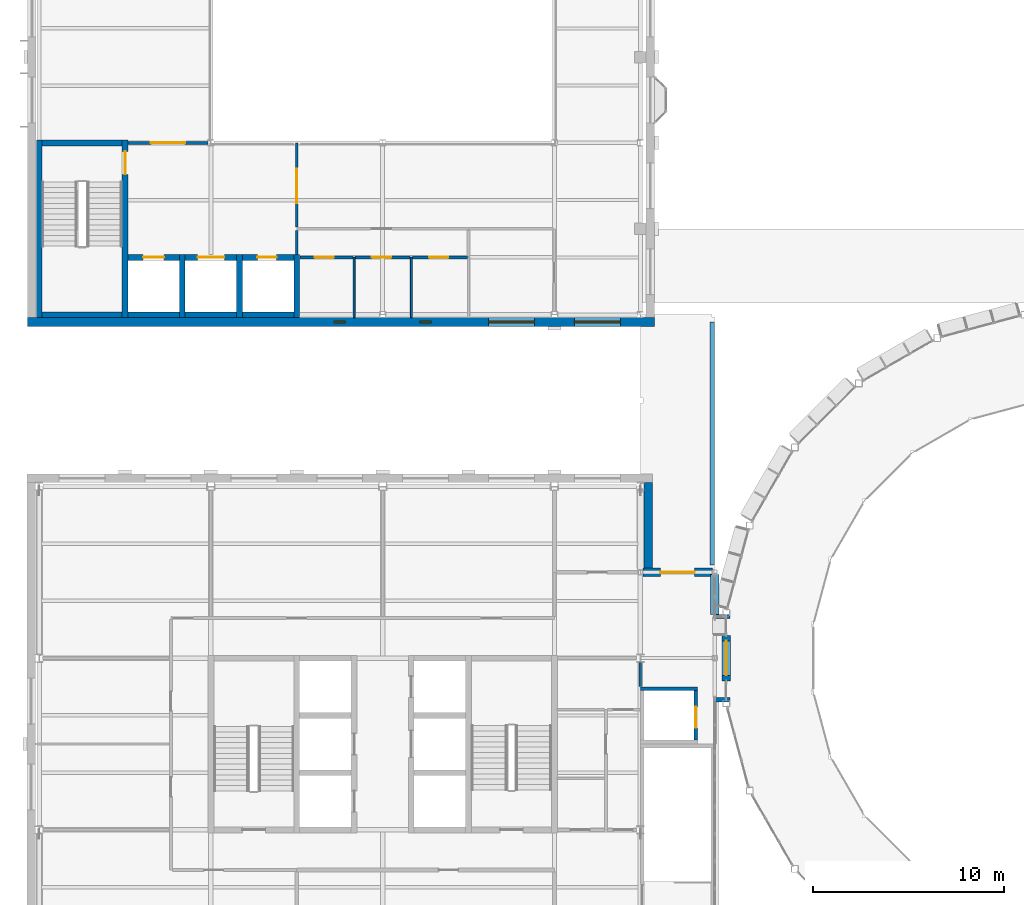
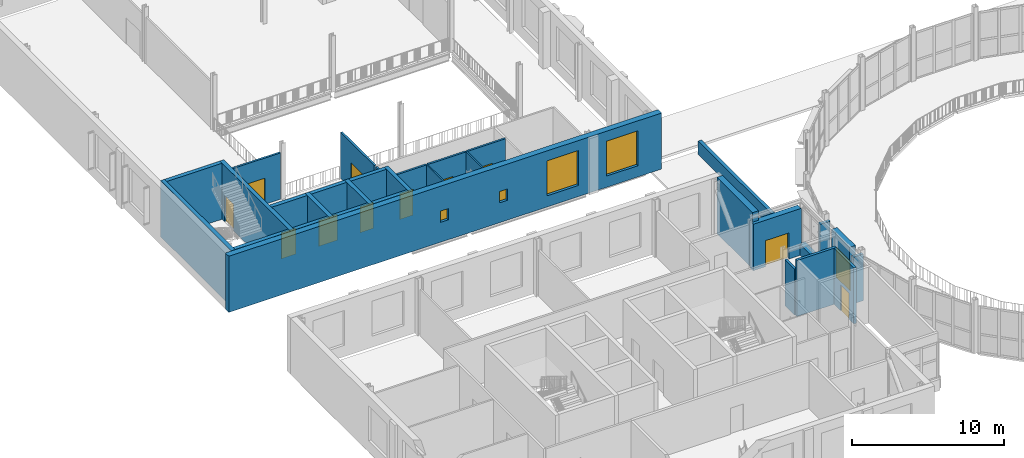
# One storey, part 42 of 74: 32 walls, 12 doors, 4 windows, 16 openings.
"""IFC4 building model written with IfcOpenShell, lengths in metres."""

from ifc_helpers import new_model, si_unit, direction, frame, frame_2d, origin, place, context, subcontext, project, spatial, rectangle, extrude, material, layer, layer_set, type_object, element, fill, save


model = new_model("IFC4")

# Units and contexts
model_context = context("Model", 3, precision=1e-05, world=origin(), true_north=direction((0.0, 1.0)))
body_context = subcontext(model_context, "Body", "Model", "MODEL_VIEW")
ifc_project = project(units=[si_unit("LENGTHUNIT", "METRE"), si_unit("AREAUNIT", "SQUARE_METRE"), si_unit("VOLUMEUNIT", "CUBIC_METRE"), si_unit("PLANEANGLEUNIT", "RADIAN"), si_unit("MASSUNIT", "GRAM", prefix="KILO")], contexts=[model_context])

# Site, building, storey
site_placement = place(None, origin())
site = spatial("IfcSite", under=ifc_project, at=site_placement, CompositionType="ELEMENT")
building_placement = place(site_placement, origin())
building = spatial("IfcBuilding", under=site, at=building_placement, Name="Hortulan Conservatory and Botanical Research Centre", CompositionType="ELEMENT")
storey_placement = place(building_placement, frame((0.0, 0.0, 6.0)))
storey = spatial("IfcBuildingStorey", under=building, at=storey_placement, Name="L01", CompositionType="ELEMENT", Elevation=6.0)

# Wall
ifc_material_1 = material(Name="Concrete N40 (40 MPa, AS 3600)", Category="concrete")
ifc_layer_1 = layer(ifc_material_1, 0.300048828125)
ifc_layer_set_1 = layer_set([ifc_layer_1], Name="Core Wall 300 N40 FRL 180/120/120")
wall_type_1 = type_object("IfcWallType", Name="Core Wall 300 N40 FRL 180/120/120", PredefinedType="SHEAR", material=ifc_layer_set_1)
wall_1_placement = place(storey_placement, frame((0.0, 35.85009765625, 0.0), z_axis=(0.0, 0.0, 1.0), x_axis=(0.0, 1.0, 0.0)))
element("IfcWall", 1, at=wall_1_placement, inside=storey, type_object=wall_type_1, Name="Reinforced concrete shaft wall", PredefinedType="SHEAR", context=body_context, shape_type="SweptSolid", body=[
    extrude(rectangle(XDim=9.2998046875, YDim=0.300048828125, at=frame_2d((4.64990234375, 0.0))), origin(), (0.0, 0.0, 1.0), 4.5),
])

# Wall, opening, door
wall_2_placement = place(storey_placement, frame((4.5, 35.85009765625, 0.0), z_axis=(0.0, 0.0, 1.0), x_axis=(0.0, 1.0, 0.0)))
wall_2 = element("IfcWall", 2, at=wall_2_placement, inside=storey, type_object=wall_type_1, Name="Reinforced concrete shaft wall", PredefinedType="SHEAR", context=body_context, shape_type="SweptSolid", body=[
    extrude(rectangle(XDim=9.2998046875, YDim=0.300048828125, at=frame_2d((4.64990234375, 0.0))), origin(), (0.0, 0.0, 1.0), 4.5),
])
opening_1_placement = place(wall_2_placement, frame((7.5, 0.0, 0.0)))
opening_1 = element("IfcOpeningElement", 3, at=opening_1_placement, cuts=wall_2, Name="Opening DT5", PredefinedType="OPENING", context=body_context, shape_type="SweptSolid", body=[
    extrude(rectangle(XDim=1.199951171875, YDim=2.10009765625, at=frame_2d((0.60009765625, 1.050048828125))), frame((0.0, 0.159912109375, 0.0), z_axis=(0.0, -1.0, 0.0), x_axis=(1.0, 0.0, 0.0)), (0.0, 0.0, 1.0), 0.320068359375),
])
ifc_material_2 = material(Name="Steel door leaf, insulated", Category="steel")
door_type_1 = type_object("IfcDoorType", Name="Stair Door 1200x2100 FRL -/120/30", OperationType="NOTDEFINED", PredefinedType="DOOR", material=ifc_material_2)
door_1_placement = place(opening_1_placement, origin())
door_1 = element("IfcDoor", 4, at=door_1_placement, inside=storey, type_object=door_type_1, Name="Door DT5 Exit Stair V1 to Lift Lobby", OperationType="SINGLE_SWING_LEFT", OverallHeight=2.10009765625, OverallWidth=1.199951171875, PredefinedType="DOOR", context=body_context, shape_type="SweptSolid", body=[
    extrude(rectangle(XDim=1.199951171875, YDim=2.10009765625, at=frame_2d((0.60009765625, 1.050048828125))), frame((0.0, 0.02490234375, 0.0), z_axis=(0.0, -1.0, 0.0), x_axis=(1.0, 0.0, 0.0)), (0.0, 0.0, 1.0), 0.050048828125),
])
fill(opening_1, door_1)

# Walls
for number, where, z_axis, x_axis, name in (
    (5, (7.5, 35.85009765625, 0.0), (0.0, 0.0, 1.0), (0.0, 1.0, 0.0), "Reinforced concrete shaft wall"),
    (6, (10.5, 35.85009765625, 0.0), (0.0, 0.0, 1.0), (0.0, 1.0, 0.0), "Reinforced concrete shaft wall"),
    (7, (13.5, 35.85009765625, 0.0), (0.0, 0.0, 1.0), (0.0, 1.0, 0.0), "Reinforced concrete shaft wall"),
):
    element("IfcWall", number, at=place(storey_placement, frame(where, z_axis=z_axis, x_axis=x_axis)), inside=storey, type_object=wall_type_1, Name=name, PredefinedType="SHEAR", context=body_context, shape_type="SweptSolid", body=[
        extrude(rectangle(XDim=3.2998046875, YDim=0.300048828125, at=frame_2d((1.64990234375, 0.0))), origin(), (0.0, 0.0, 1.0), 4.5),
    ])
wall_3_placement = place(storey_placement, frame((0.14990234375, 36.0, 0.0), z_axis=(0.0, 0.0, 1.0), x_axis=(1.0, 0.0, 0.0)))
element("IfcWall", 8, at=wall_3_placement, inside=storey, type_object=wall_type_1, Name="Reinforced concrete shaft wall", PredefinedType="SHEAR", context=body_context, shape_type="SweptSolid", body=[
    extrude(rectangle(XDim=4.2001953125, YDim=0.300048828125, at=frame_2d((2.10009765625, 0.0))), origin(), (0.0, 0.0, 1.0), 4.5),
])
for number, where, z_axis, x_axis, name in (
    (9, (4.64990234375, 36.0, 0.0), (0.0, 0.0, 1.0), (1.0, 0.0, 0.0), "Reinforced concrete shaft wall"),
    (10, (7.64990234375, 36.0, 0.0), (0.0, 0.0, 1.0), (1.0, 0.0, 0.0), "Reinforced concrete shaft wall"),
    (11, (10.64990234375, 36.0, 0.0), (0.0, 0.0, 1.0), (1.0, 0.0, 0.0), "Reinforced concrete shaft wall"),
):
    element("IfcWall", number, at=place(storey_placement, frame(where, z_axis=z_axis, x_axis=x_axis)), inside=storey, type_object=wall_type_1, Name=name, PredefinedType="SHEAR", context=body_context, shape_type="SweptSolid", body=[
        extrude(rectangle(XDim=2.7001953125, YDim=0.300048828125, at=frame_2d((1.35009765625, 0.0))), origin(), (0.0, 0.0, 1.0), 4.5),
    ])

# Wall, opening, door
wall_4_placement = place(storey_placement, frame((4.64990234375, 39.0, 0.0), z_axis=(0.0, 0.0, 1.0), x_axis=(1.0, 0.0, 0.0)))
wall_4 = element("IfcWall", 12, at=wall_4_placement, inside=storey, type_object=wall_type_1, Name="Reinforced concrete shaft wall", PredefinedType="SHEAR", context=body_context, shape_type="SweptSolid", body=[
    extrude(rectangle(XDim=2.7001953125, YDim=0.300048828125, at=frame_2d((1.35009765625, 0.0))), origin(), (0.0, 0.0, 1.0), 4.5),
])
opening_2_placement = place(wall_4_placement, frame((0.800048828125, 0.0, 0.0)))
opening_2 = element("IfcOpeningElement", 13, at=opening_2_placement, cuts=wall_4, Name="Opening LD1", PredefinedType="OPENING", context=body_context, shape_type="SweptSolid", body=[
    extrude(rectangle(XDim=1.10009765625, YDim=2.10009765625, at=frame_2d((0.550048828125, 1.050048828125))), frame((0.0, 0.159912109375, 0.0), z_axis=(0.0, -1.0, 0.0), x_axis=(1.0, 0.0, 0.0)), (0.0, 0.0, 1.0), 0.320068359375),
])
ifc_material_3 = material(Name="Stainless steel door leaves in steel frame", Category="steel")
door_type_2 = type_object("IfcDoorType", Name="Lift Landing Door 1100x2100", OperationType="DOUBLE_DOOR_SLIDING", PredefinedType="DOOR", material=ifc_material_3)
door_2_placement = place(opening_2_placement, origin())
door_2 = element("IfcDoor", 14, at=door_2_placement, inside=storey, type_object=door_type_2, Name="Lift LV1 landing door L01", OperationType="DOUBLE_DOOR_SLIDING", OverallHeight=2.10009765625, OverallWidth=1.10009765625, PredefinedType="DOOR", context=body_context, shape_type="SweptSolid", body=[
    extrude(rectangle(XDim=1.10009765625, YDim=2.10009765625, at=frame_2d((0.550048828125, 1.050048828125))), frame((0.0, 0.02490234375, 0.0), z_axis=(0.0, -1.0, 0.0), x_axis=(1.0, 0.0, 0.0)), (0.0, 0.0, 1.0), 0.050048828125),
])
fill(opening_2, door_2)

wall_5_placement = place(storey_placement, frame((7.64990234375, 39.0, 0.0), z_axis=(0.0, 0.0, 1.0), x_axis=(1.0, 0.0, 0.0)))
wall_5 = element("IfcWall", 15, at=wall_5_placement, inside=storey, type_object=wall_type_1, Name="Reinforced concrete shaft wall", PredefinedType="SHEAR", context=body_context, shape_type="SweptSolid", body=[
    extrude(rectangle(XDim=2.7001953125, YDim=0.300048828125, at=frame_2d((1.35009765625, 0.0))), origin(), (0.0, 0.0, 1.0), 4.5),
])
opening_3_placement = place(wall_5_placement, frame((0.64990234375, 0.0, 0.0)))
opening_3 = element("IfcOpeningElement", 16, at=opening_3_placement, cuts=wall_5, Name="Opening LD2", PredefinedType="OPENING", context=body_context, shape_type="SweptSolid", body=[
    extrude(rectangle(XDim=1.39990234375, YDim=2.10009765625, at=frame_2d((0.699951171875, 1.050048828125))), frame((0.0, 0.159912109375, 0.0), z_axis=(0.0, -1.0, 0.0), x_axis=(1.0, 0.0, 0.0)), (0.0, 0.0, 1.0), 0.320068359375),
])
door_type_3 = type_object("IfcDoorType", Name="Lift Landing Door 1400x2100", OperationType="DOUBLE_DOOR_SLIDING", PredefinedType="DOOR", material=ifc_material_3)
door_3_placement = place(opening_3_placement, origin())
door_3 = element("IfcDoor", 17, at=door_3_placement, inside=storey, type_object=door_type_3, Name="Lift LV2 landing door L01", OperationType="DOUBLE_DOOR_SLIDING", OverallHeight=2.10009765625, OverallWidth=1.39990234375, PredefinedType="DOOR", context=body_context, shape_type="SweptSolid", body=[
    extrude(rectangle(XDim=1.39990234375, YDim=2.10009765625, at=frame_2d((0.699951171875, 1.050048828125))), frame((0.0, 0.02490234375, 0.0), z_axis=(0.0, -1.0, 0.0), x_axis=(1.0, 0.0, 0.0)), (0.0, 0.0, 1.0), 0.050048828125),
])
fill(opening_3, door_3)

wall_6_placement = place(storey_placement, frame((10.64990234375, 39.0, 0.0), z_axis=(0.0, 0.0, 1.0), x_axis=(1.0, 0.0, 0.0)))
wall_6 = element("IfcWall", 18, at=wall_6_placement, inside=storey, type_object=wall_type_1, Name="Reinforced concrete shaft wall", PredefinedType="SHEAR", context=body_context, shape_type="SweptSolid", body=[
    extrude(rectangle(XDim=2.7001953125, YDim=0.300048828125, at=frame_2d((1.35009765625, 0.0))), origin(), (0.0, 0.0, 1.0), 4.5),
])
opening_4_placement = place(wall_6_placement, frame((0.788818359375, 0.0, 0.0)))
opening_4 = element("IfcOpeningElement", 19, at=opening_4_placement, cuts=wall_6, Name="Opening DT6", PredefinedType="OPENING", context=body_context, shape_type="SweptSolid", body=[
    extrude(rectangle(XDim=1.0, YDim=2.10009765625, at=frame_2d((0.5, 1.050048828125))), frame((0.0, 0.159912109375, 0.0), z_axis=(0.0, -1.0, 0.0), x_axis=(1.0, 0.0, 0.0)), (0.0, 0.0, 1.0), 0.320068359375),
])
door_type_4 = type_object("IfcDoorType", Name="Fire Door 1000x2100 FRL -/120/30", OperationType="NOTDEFINED", PredefinedType="DOOR", material=ifc_material_2)
door_4_placement = place(opening_4_placement, frame((1.0, 0.0, 0.0), z_axis=(0.0, 0.0, 1.0), x_axis=(-1.0, 0.0, 0.0)))
door_4 = element("IfcDoor", 20, at=door_4_placement, inside=storey, type_object=door_type_4, Name="Door DT6 Services Riser to Lift Lobby", OperationType="SINGLE_SWING_RIGHT", OverallHeight=2.10009765625, OverallWidth=1.0, PredefinedType="DOOR", context=body_context, shape_type="SweptSolid", body=[
    extrude(rectangle(XDim=1.0, YDim=2.10009765625, at=frame_2d((0.5, 1.050048828125))), frame((0.0, 0.02490234375, 0.0), z_axis=(0.0, -1.0, 0.0), x_axis=(1.0, 0.0, 0.0)), (0.0, 0.0, 1.0), 0.050048828125),
])
fill(opening_4, door_4)

# Walls
wall_7_placement = place(storey_placement, frame((0.14990234375, 45.0, 0.0), z_axis=(0.0, 0.0, 1.0), x_axis=(1.0, 0.0, 0.0)))
element("IfcWall", 21, at=wall_7_placement, inside=storey, type_object=wall_type_1, Name="Reinforced concrete shaft wall", PredefinedType="SHEAR", context=body_context, shape_type="SweptSolid", body=[
    extrude(rectangle(XDim=4.2001953125, YDim=0.300048828125, at=frame_2d((2.10009765625, 0.0))), origin(), (0.0, 0.0, 1.0), 4.5),
])
ifc_layer_2 = layer(ifc_material_1, 0.199951171875)
ifc_layer_set_2 = layer_set([ifc_layer_2], Name="Head Link Shaft Wall 200")
wall_type_2 = type_object("IfcWallType", Name="Head Link Shaft Wall 200", PredefinedType="SHEAR", material=ifc_layer_set_2)
wall_8_placement = place(storey_placement, frame((31.5, 16.39990234375, 0.0), z_axis=(0.0, 0.0, 1.0), x_axis=(1.0, 0.0, 0.0)))
element("IfcWall", 22, at=wall_8_placement, inside=storey, type_object=wall_type_2, Name="HW lift shaft north wall L01", PredefinedType="SHEAR", context=body_context, shape_type="SweptSolid", body=[
    extrude(rectangle(XDim=3.0, YDim=0.199951171875, at=frame_2d((1.5, 0.0))), origin(), (0.0, 0.0, 1.0), 4.5),
])

# Wall, opening, door
wall_9_placement = place(storey_placement, frame((34.39990234375, 13.699951171875, 0.0), z_axis=(0.0, 0.0, 1.0), x_axis=(0.0, 1.0, 0.0)))
wall_9 = element("IfcWall", 23, at=wall_9_placement, inside=storey, type_object=wall_type_2, Name="HW lift shaft east wall L01", PredefinedType="SHEAR", context=body_context, shape_type="SweptSolid", body=[
    extrude(rectangle(XDim=2.60009765625, YDim=0.199951171875, at=frame_2d((1.300048828125, 0.0))), origin(), (0.0, 0.0, 1.0), 4.5),
])
opening_5_placement = place(wall_9_placement, frame((0.64990234375, 0.0, 0.0)))
opening_5 = element("IfcOpeningElement", 24, at=opening_5_placement, cuts=wall_9, Name="Opening LD1", PredefinedType="OPENING", context=body_context, shape_type="SweptSolid", body=[
    extrude(rectangle(XDim=1.10009765625, YDim=2.10009765625, at=frame_2d((0.550048828125, 1.050048828125))), frame((0.0, 0.10986328125, 0.0), z_axis=(0.0, -1.0, 0.0), x_axis=(1.0, 0.0, 0.0)), (0.0, 0.0, 1.0), 0.219970703125),
])
door_5_placement = place(opening_5_placement, origin())
door_5 = element("IfcDoor", 25, at=door_5_placement, inside=storey, type_object=door_type_2, Name="Lift LHW landing door L01", OperationType="DOUBLE_DOOR_SLIDING", OverallHeight=2.10009765625, OverallWidth=1.10009765625, PredefinedType="DOOR", context=body_context, shape_type="SweptSolid", body=[
    extrude(rectangle(XDim=1.10009765625, YDim=2.10009765625, at=frame_2d((0.550048828125, 1.050048828125))), frame((0.0, 0.02490234375, 0.0), z_axis=(0.0, -1.0, 0.0), x_axis=(1.0, 0.0, 0.0)), (0.0, 0.0, 1.0), 0.050048828125),
])
fill(opening_5, door_5)

# Wall
ifc_material_4 = material(Name="Fire-rated plasterboard on steel studs", Category="steel")
ifc_layer_3 = layer(ifc_material_4, 0.14990234375)
ifc_layer_set_3 = layer_set([ifc_layer_3], Name="Lobby Partition 150")
wall_type_3 = type_object("IfcWallType", Name="Lobby Partition 150", PredefinedType="PARTITIONING", material=ifc_layer_set_3)
wall_10_placement = place(storey_placement, frame((13.5, 39.159912109375, 0.0), z_axis=(0.0, 0.0, 1.0), x_axis=(0.0, 1.0, 0.0)))
element("IfcWall", 26, at=wall_10_placement, inside=storey, type_object=wall_type_3, Name="Partition Lift Lobby and WC Lobby L01", PredefinedType="PARTITIONING", context=body_context, shape_type="SweptSolid", body=[
    extrude(rectangle(XDim=1.255126953125, YDim=0.14990234375, at=frame_2d((0.62744140625, 0.0))), origin(), (0.0, 0.0, 1.0), 3.718017578125),
])

# Wall, opening, door
wall_11_placement = place(storey_placement, frame((13.5, 40.5849609375, 0.0), z_axis=(0.0, 0.0, 1.0), x_axis=(0.0, 1.0, 0.0)))
wall_11 = element("IfcWall", 27, at=wall_11_placement, inside=storey, type_object=wall_type_3, Name="Partition Lift Lobby and Gallery Walk L01", PredefinedType="PARTITIONING", context=body_context, shape_type="SweptSolid", body=[
    extrude(rectangle(XDim=4.4150390625, YDim=0.14990234375, at=frame_2d((2.20751953125, 0.0))), origin(), (0.0, 0.0, 1.0), 3.718017578125),
])
opening_6_placement = place(wall_11_placement, frame((1.264892578125, 0.0, 0.0)))
opening_6 = element("IfcOpeningElement", 28, at=opening_6_placement, cuts=wall_11, Name="Opening DT8", PredefinedType="OPENING", context=body_context, shape_type="SweptSolid", body=[
    extrude(rectangle(XDim=1.800048828125, YDim=2.10009765625, at=frame_2d((0.89990234375, 1.050048828125))), frame((0.0, 0.0849609375, 0.0), z_axis=(0.0, -1.0, 0.0), x_axis=(1.0, 0.0, 0.0)), (0.0, 0.0, 1.0), 0.169921875),
])
door_type_5 = type_object("IfcDoorType", Name="Lobby Double Door 1800x2100 FRL -/60/30", OperationType="DOUBLE_DOOR_SINGLE_SWING", PredefinedType="DOOR", material=ifc_material_2)
door_6_placement = place(opening_6_placement, frame((1.800048828125, 0.0, 0.0), z_axis=(0.0, 0.0, 1.0), x_axis=(-1.0, 0.0, 0.0)))
door_6 = element("IfcDoor", 29, at=door_6_placement, inside=storey, type_object=door_type_5, Name="Door DT8 Lift Lobby to Gallery Walk", OperationType="DOUBLE_DOOR_SINGLE_SWING", OverallHeight=2.10009765625, OverallWidth=1.800048828125, PredefinedType="DOOR", context=body_context, shape_type="SweptSolid", body=[
    extrude(rectangle(XDim=1.800048828125, YDim=2.10009765625, at=frame_2d((0.89990234375, 1.050048828125))), frame((0.0, 0.02490234375, 0.0), z_axis=(0.0, -1.0, 0.0), x_axis=(1.0, 0.0, 0.0)), (0.0, 0.0, 1.0), 0.050048828125),
])
fill(opening_6, door_6)

# Wall
wall_12_placement = place(storey_placement, frame((31.5, 16.510009765625, 0.0), z_axis=(0.0, 0.0, 1.0), x_axis=(0.0, 1.0, 0.0)))
element("IfcWall", 30, at=wall_12_placement, inside=storey, type_object=wall_type_3, Name="Partition Men's WC and West Head Link Lobby L01", PredefinedType="PARTITIONING", context=body_context, shape_type="SweptSolid", body=[
    extrude(rectangle(XDim=1.26904296875, YDim=0.14990234375, at=frame_2d((0.634521484375, 0.0))), origin(), (0.0, 0.0, 1.0), 3.718017578125),
])

# Wall, opening, door
wall_13_placement = place(storey_placement, frame((13.659912109375, 39.0, 0.0), z_axis=(0.0, 0.0, 1.0), x_axis=(1.0, 0.0, 0.0)))
wall_13 = element("IfcWall", 31, at=wall_13_placement, inside=storey, type_object=wall_type_3, Name="Partition Accessible WC and WC Lobby L01", PredefinedType="PARTITIONING", context=body_context, shape_type="SweptSolid", body=[
    extrude(rectangle(XDim=2.780029296875, YDim=0.14990234375, at=frame_2d((1.39013671875, 0.0))), origin(), (0.0, 0.0, 1.0), 3.718017578125),
])
opening_7_placement = place(wall_13_placement, frame((0.77880859375, 0.0, 0.0)))
opening_7 = element("IfcOpeningElement", 32, at=opening_7_placement, cuts=wall_13, Name="Opening DT4", PredefinedType="OPENING", context=body_context, shape_type="SweptSolid", body=[
    extrude(rectangle(XDim=1.0, YDim=2.10009765625, at=frame_2d((0.5, 1.050048828125))), frame((0.0, 0.0849609375, 0.0), z_axis=(0.0, -1.0, 0.0), x_axis=(1.0, 0.0, 0.0)), (0.0, 0.0, 1.0), 0.169921875),
])
door_type_6 = type_object("IfcDoorType", Name="Fire Door 1000x2100 FRL -/60/30", OperationType="NOTDEFINED", PredefinedType="DOOR", material=ifc_material_2)
door_7_placement = place(opening_7_placement, frame((1.0, 0.0, 0.0), z_axis=(0.0, 0.0, 1.0), x_axis=(-1.0, 0.0, 0.0)))
door_7 = element("IfcDoor", 33, at=door_7_placement, inside=storey, type_object=door_type_6, Name="Door DT4 Accessible WC to WC Lobby", OperationType="SINGLE_SWING_RIGHT", OverallHeight=2.10009765625, OverallWidth=1.0, PredefinedType="DOOR", context=body_context, shape_type="SweptSolid", body=[
    extrude(rectangle(XDim=1.0, YDim=2.10009765625, at=frame_2d((0.5, 1.050048828125))), frame((0.0, 0.02490234375, 0.0), z_axis=(0.0, -1.0, 0.0), x_axis=(1.0, 0.0, 0.0)), (0.0, 0.0, 1.0), 0.050048828125),
])
fill(opening_7, door_7)

wall_14_placement = place(storey_placement, frame((16.56005859375, 39.0, 0.0), z_axis=(0.0, 0.0, 1.0), x_axis=(1.0, 0.0, 0.0)))
wall_14 = element("IfcWall", 34, at=wall_14_placement, inside=storey, type_object=wall_type_3, Name="Partition Women's WC and WC Lobby L01", PredefinedType="PARTITIONING", context=body_context, shape_type="SweptSolid", body=[
    extrude(rectangle(XDim=2.8798828125, YDim=0.14990234375, at=frame_2d((1.43994140625, 0.0))), origin(), (0.0, 0.0, 1.0), 3.718017578125),
])
opening_8_placement = place(wall_14_placement, frame((0.87890625, 0.0, 0.0)))
opening_8 = element("IfcOpeningElement", 35, at=opening_8_placement, cuts=wall_14, Name="Opening DT4", PredefinedType="OPENING", context=body_context, shape_type="SweptSolid", body=[
    extrude(rectangle(XDim=1.0, YDim=2.10009765625, at=frame_2d((0.5, 1.050048828125))), frame((0.0, 0.0849609375, 0.0), z_axis=(0.0, -1.0, 0.0), x_axis=(1.0, 0.0, 0.0)), (0.0, 0.0, 1.0), 0.169921875),
])
door_8_placement = place(opening_8_placement, frame((1.0, 0.0, 0.0), z_axis=(0.0, 0.0, 1.0), x_axis=(-1.0, 0.0, 0.0)))
door_8 = element("IfcDoor", 36, at=door_8_placement, inside=storey, type_object=door_type_6, Name="Door DT4 Women's WC to WC Lobby", OperationType="SINGLE_SWING_RIGHT", OverallHeight=2.10009765625, OverallWidth=1.0, PredefinedType="DOOR", context=body_context, shape_type="SweptSolid", body=[
    extrude(rectangle(XDim=1.0, YDim=2.10009765625, at=frame_2d((0.5, 1.050048828125))), frame((0.0, 0.02490234375, 0.0), z_axis=(0.0, -1.0, 0.0), x_axis=(1.0, 0.0, 0.0)), (0.0, 0.0, 1.0), 0.050048828125),
])
fill(opening_8, door_8)

wall_15_placement = place(storey_placement, frame((19.56005859375, 39.0, 0.0), z_axis=(0.0, 0.0, 1.0), x_axis=(1.0, 0.0, 0.0)))
wall_15 = element("IfcWall", 37, at=wall_15_placement, inside=storey, type_object=wall_type_3, Name="Partition Men's WC and WC Lobby L01", PredefinedType="PARTITIONING", context=body_context, shape_type="SweptSolid", body=[
    extrude(rectangle(XDim=2.8798828125, YDim=0.14990234375, at=frame_2d((1.43994140625, 0.0))), origin(), (0.0, 0.0, 1.0), 3.718017578125),
])
opening_9_placement = place(wall_15_placement, frame((0.87890625, 0.0, 0.0)))
opening_9 = element("IfcOpeningElement", 38, at=opening_9_placement, cuts=wall_15, Name="Opening DT4", PredefinedType="OPENING", context=body_context, shape_type="SweptSolid", body=[
    extrude(rectangle(XDim=1.0, YDim=2.10009765625, at=frame_2d((0.5, 1.050048828125))), frame((0.0, 0.0849609375, 0.0), z_axis=(0.0, -1.0, 0.0), x_axis=(1.0, 0.0, 0.0)), (0.0, 0.0, 1.0), 0.169921875),
])
door_9_placement = place(opening_9_placement, frame((1.0, 0.0, 0.0), z_axis=(0.0, 0.0, 1.0), x_axis=(-1.0, 0.0, 0.0)))
door_9 = element("IfcDoor", 39, at=door_9_placement, inside=storey, type_object=door_type_6, Name="Door DT4 Men's WC to WC Lobby", OperationType="SINGLE_SWING_RIGHT", OverallHeight=2.10009765625, OverallWidth=1.0, PredefinedType="DOOR", context=body_context, shape_type="SweptSolid", body=[
    extrude(rectangle(XDim=1.0, YDim=2.10009765625, at=frame_2d((0.5, 1.050048828125))), frame((0.0, 0.02490234375, 0.0), z_axis=(0.0, -1.0, 0.0), x_axis=(1.0, 0.0, 0.0)), (0.0, 0.0, 1.0), 0.050048828125),
])
fill(opening_9, door_9)

wall_16_placement = place(storey_placement, frame((4.659912109375, 45.0, 0.0), z_axis=(0.0, 0.0, 1.0), x_axis=(1.0, 0.0, 0.0)))
wall_16 = element("IfcWall", 40, at=wall_16_placement, inside=storey, type_object=wall_type_3, Name="Partition Lift Lobby and Special Exhibition Gallery L01", PredefinedType="PARTITIONING", context=body_context, shape_type="SweptSolid", body=[
    extrude(rectangle(XDim=4.175537109375, YDim=0.14990234375, at=frame_2d((2.087890625, 0.0))), origin(), (0.0, 0.0, 1.0), 3.718017578125),
])
opening_10_placement = place(wall_16_placement, frame((1.18994140625, 0.0, 0.0)))
opening_10 = element("IfcOpeningElement", 41, at=opening_10_placement, cuts=wall_16, Name="Opening DT8", PredefinedType="OPENING", context=body_context, shape_type="SweptSolid", body=[
    extrude(rectangle(XDim=1.800048828125, YDim=2.10009765625, at=frame_2d((0.89990234375, 1.050048828125))), frame((0.0, 0.0849609375, 0.0), z_axis=(0.0, -1.0, 0.0), x_axis=(1.0, 0.0, 0.0)), (0.0, 0.0, 1.0), 0.169921875),
])
door_10_placement = place(opening_10_placement, origin())
door_10 = element("IfcDoor", 42, at=door_10_placement, inside=storey, type_object=door_type_5, Name="Door DT8 Lift Lobby to Special Exhibition Gallery", OperationType="DOUBLE_DOOR_SINGLE_SWING", OverallHeight=2.10009765625, OverallWidth=1.800048828125, PredefinedType="DOOR", context=body_context, shape_type="SweptSolid", body=[
    extrude(rectangle(XDim=1.800048828125, YDim=2.10009765625, at=frame_2d((0.89990234375, 1.050048828125))), frame((0.0, 0.02490234375, 0.0), z_axis=(0.0, -1.0, 0.0), x_axis=(1.0, 0.0, 0.0)), (0.0, 0.0, 1.0), 0.050048828125),
])
fill(opening_10, door_10)

# Walls
ifc_material_5 = material(Name="Sandstone masonry (Hawkesbury yellow block)", Category="masonry")
ifc_layer_4 = layer(ifc_material_5, 0.22509765625)
ifc_layer_set_4 = layer_set([ifc_layer_4], Name="Sandstone Masonry Cavity Wall 225")
wall_type_4 = type_object("IfcWallType", Name="Sandstone Masonry Cavity Wall 225", PredefinedType="STANDARD", material=ifc_layer_set_4)
for number, where, z_axis, x_axis, name in (
    (43, (35.425048828125, 20.18212890625, 0.0), (0.0, 0.0, 1.0), (1.0, 0.0, 0.0), "Niche return wall"),
    (44, (35.425048828125, 15.81787109375, 0.0), (0.0, 0.0, 1.0), (1.0, 0.0, 0.0), "Niche return wall"),
):
    element("IfcWall", number, at=place(storey_placement, frame(where, z_axis=z_axis, x_axis=x_axis)), inside=storey, type_object=wall_type_4, Name=name, PredefinedType="STANDARD", context=body_context, shape_type="SweptSolid", body=[
        extrude(rectangle(XDim=0.77001953125, YDim=0.22509765625, at=frame_2d((0.385009765625, 0.0))), origin(), (0.0, 0.0, 1.0), 3.739990234375),
    ])
ifc_layer_5 = layer(ifc_material_5, 0.449951171875)
ifc_layer_set_5 = layer_set([ifc_layer_5], Name="Sandstone Masonry Cavity Wall 450")
wall_type_5 = type_object("IfcWallType", Name="Sandstone Masonry Cavity Wall 450", PredefinedType="STANDARD", material=ifc_layer_set_5)
wall_17_placement = place(storey_placement, frame((31.925048828125, 27.199951171875, 0.0), z_axis=(0.0, 0.0, 1.0), x_axis=(0.0, -1.0, 0.0)))
element("IfcWall", 45, at=wall_17_placement, inside=storey, type_object=wall_type_5, Name="E-EW-TW-L01-E4p2", PredefinedType="STANDARD", context=body_context, shape_type="SweptSolid", body=[
    extrude(rectangle(XDim=4.699951171875, YDim=0.449951171875, at=frame_2d((2.35009765625, 0.0))), origin(), (0.0, 0.0, 1.0), 4.5),
])

# Wall, openings, windows
wall_18_placement = place(storey_placement, frame((32.25, 35.614501953125, 0.0), z_axis=(0.0, 0.0, 1.0), x_axis=(-1.0, 0.0, 0.0)))
wall_18 = element("IfcWall", 46, at=wall_18_placement, inside=storey, type_object=wall_type_5, Name="E-EW-VC-L01-S1", PredefinedType="STANDARD", context=body_context, shape_type="SweptSolid", body=[
    extrude(rectangle(XDim=32.8544921875, YDim=0.449951171875, at=frame_2d((16.42724609375, 0.0))), origin(), (0.0, 0.0, 1.0), 4.5),
])
opening_11_placement = place(wall_18_placement, frame((16.199951171875, 0.0, 1.60009765625)))
opening_11 = element("IfcOpeningElement", 47, at=opening_11_placement, cuts=wall_18, Name="Opening W3", PredefinedType="OPENING", context=body_context, shape_type="SweptSolid", body=[
    extrude(rectangle(XDim=0.60009765625, YDim=0.89990234375, at=frame_2d((0.300048828125, 0.449951171875))), frame((0.0, 0.23486328125, 0.0), z_axis=(0.0, -1.0, 0.0), x_axis=(1.0, 0.0, 0.0)), (0.0, 0.0, 1.0), 0.469970703125),
])
opening_12_placement = place(wall_18_placement, frame((11.699951171875, 0.0, 1.60009765625)))
opening_12 = element("IfcOpeningElement", 48, at=opening_12_placement, cuts=wall_18, Name="Opening W3", PredefinedType="OPENING", context=body_context, shape_type="SweptSolid", body=[
    extrude(rectangle(XDim=0.60009765625, YDim=0.89990234375, at=frame_2d((0.300048828125, 0.449951171875))), frame((0.0, 0.23486328125, 0.0), z_axis=(0.0, -1.0, 0.0), x_axis=(1.0, 0.0, 0.0)), (0.0, 0.0, 1.0), 0.469970703125),
])
opening_13_placement = place(wall_18_placement, frame((6.300048828125, 0.0, 0.89990234375)))
opening_13 = element("IfcOpeningElement", 49, at=opening_13_placement, cuts=wall_18, Name="Opening W2", PredefinedType="OPENING", context=body_context, shape_type="SweptSolid", body=[
    extrude(rectangle(XDim=2.39990234375, YDim=2.800048828125, at=frame_2d((1.199951171875, 1.39990234375))), frame((0.0, 0.23486328125, 0.0), z_axis=(0.0, -1.0, 0.0), x_axis=(1.0, 0.0, 0.0)), (0.0, 0.0, 1.0), 0.469970703125),
])
opening_14_placement = place(wall_18_placement, frame((1.800048828125, 0.0, 0.89990234375)))
opening_14 = element("IfcOpeningElement", 50, at=opening_14_placement, cuts=wall_18, Name="Opening W2", PredefinedType="OPENING", context=body_context, shape_type="SweptSolid", body=[
    extrude(rectangle(XDim=2.39990234375, YDim=2.800048828125, at=frame_2d((1.199951171875, 1.39990234375))), frame((0.0, 0.23486328125, 0.0), z_axis=(0.0, -1.0, 0.0), x_axis=(1.0, 0.0, 0.0)), (0.0, 0.0, 1.0), 0.469970703125),
])
ifc_material_6 = material(Name="Bronze-finished aluminium frame with low-e laminated double glazing", Category="aluminium")
window_type_1 = type_object("IfcWindowType", Name="Sandstone Window 2400x2800", PartitioningType="SINGLE_PANEL", PredefinedType="WINDOW", material=ifc_material_6)
window_1_placement = place(opening_13_placement, origin())
window_1 = element("IfcWindow", 51, at=window_1_placement, inside=storey, type_object=window_type_1, Name="Sandstone window", OverallHeight=2.800048828125, OverallWidth=2.39990234375, PartitioningType="SINGLE_PANEL", PredefinedType="WINDOW", context=body_context, shape_type="SweptSolid", body=[
    extrude(rectangle(XDim=2.39990234375, YDim=2.800048828125, at=frame_2d((1.199951171875, 1.39990234375))), frame((0.0, 0.030029296875, 0.0), z_axis=(0.0, -1.0, 0.0), x_axis=(1.0, 0.0, 0.0)), (0.0, 0.0, 1.0), 0.06005859375),
])
fill(opening_13, window_1)
window_2_placement = place(opening_14_placement, origin())
window_2 = element("IfcWindow", 52, at=window_2_placement, inside=storey, type_object=window_type_1, Name="Sandstone window", OverallHeight=2.800048828125, OverallWidth=2.39990234375, PartitioningType="SINGLE_PANEL", PredefinedType="WINDOW", context=body_context, shape_type="SweptSolid", body=[
    extrude(rectangle(XDim=2.39990234375, YDim=2.800048828125, at=frame_2d((1.199951171875, 1.39990234375))), frame((0.0, 0.030029296875, 0.0), z_axis=(0.0, -1.0, 0.0), x_axis=(1.0, 0.0, 0.0)), (0.0, 0.0, 1.0), 0.06005859375),
])
fill(opening_14, window_2)
window_type_2 = type_object("IfcWindowType", Name="Slot Window 600x900", PartitioningType="SINGLE_PANEL", PredefinedType="WINDOW", material=ifc_material_6)
window_3_placement = place(opening_11_placement, origin())
window_3 = element("IfcWindow", 53, at=window_3_placement, inside=storey, type_object=window_type_2, Name="Slot window", OverallHeight=0.89990234375, OverallWidth=0.60009765625, PartitioningType="SINGLE_PANEL", PredefinedType="WINDOW", context=body_context, shape_type="SweptSolid", body=[
    extrude(rectangle(XDim=0.60009765625, YDim=0.89990234375, at=frame_2d((0.300048828125, 0.449951171875))), frame((0.0, 0.030029296875, 0.0), z_axis=(0.0, -1.0, 0.0), x_axis=(1.0, 0.0, 0.0)), (0.0, 0.0, 1.0), 0.06005859375),
])
fill(opening_11, window_3)
window_4_placement = place(opening_12_placement, origin())
window_4 = element("IfcWindow", 54, at=window_4_placement, inside=storey, type_object=window_type_2, Name="Slot window", OverallHeight=0.89990234375, OverallWidth=0.60009765625, PartitioningType="SINGLE_PANEL", PredefinedType="WINDOW", context=body_context, shape_type="SweptSolid", body=[
    extrude(rectangle(XDim=0.60009765625, YDim=0.89990234375, at=frame_2d((0.300048828125, 0.449951171875))), frame((0.0, 0.030029296875, 0.0), z_axis=(0.0, -1.0, 0.0), x_axis=(1.0, 0.0, 0.0)), (0.0, 0.0, 1.0), 0.06005859375),
])
fill(opening_12, window_4)

# Wall, opening, door
wall_19_placement = place(storey_placement, frame((36.0, 16.800048828125, 0.0), z_axis=(0.0, 0.0, 1.0), x_axis=(0.0, 1.0, 0.0)))
wall_19 = element("IfcWall", 55, at=wall_19_placement, inside=storey, type_object=wall_type_5, Name="Door bay wall", PredefinedType="STANDARD", context=body_context, shape_type="SweptSolid", body=[
    extrude(rectangle(XDim=2.39990234375, YDim=0.449951171875, at=frame_2d((1.199951171875, 0.0))), origin(), (0.0, 0.0, 1.0), 3.75),
])
opening_15_placement = place(wall_19_placement, frame((0.300048828125, 0.0, 0.011962890625)))
opening_15 = element("IfcOpeningElement", 56, at=opening_15_placement, cuts=wall_19, Name="Opening ED8", PredefinedType="OPENING", context=body_context, shape_type="SweptSolid", body=[
    extrude(rectangle(XDim=1.800048828125, YDim=2.39990234375, at=frame_2d((0.89990234375, 1.199951171875))), frame((0.0, 0.23486328125, 0.0), z_axis=(0.0, -1.0, 0.0), x_axis=(1.0, 0.0, 0.0)), (0.0, 0.0, 1.0), 0.469970703125),
])
ifc_material_7 = material(Name="Bronze and toughened laminated glass", Category="glass")
door_type_7 = type_object("IfcDoorType", Name="Sliding Glazed Door Pair 1800x2400", OperationType="DOUBLE_DOOR_SLIDING", PredefinedType="DOOR", material=ifc_material_7)
door_11_placement = place(opening_15_placement, origin())
door_11 = element("IfcDoor", 57, at=door_11_placement, inside=storey, type_object=door_type_7, Name="Link door", OperationType="DOUBLE_DOOR_SLIDING", OverallHeight=2.39990234375, OverallWidth=1.800048828125, PredefinedType="DOOR", context=body_context, shape_type="SweptSolid", body=[
    extrude(rectangle(XDim=1.800048828125, YDim=2.39990234375, at=frame_2d((0.89990234375, 1.199951171875))), frame((0.0, 0.02490234375, 0.0), z_axis=(0.0, -1.0, 0.0), x_axis=(1.0, 0.0, 0.0)), (0.0, 0.0, 1.0), 0.050048828125),
])
fill(opening_15, door_11)

# Wall
wall_20_placement = place(storey_placement, frame((35.39990234375, 22.3720703125, 0.0), z_axis=(0.0, 0.0, 1.0), x_axis=(0.0, -1.0, 0.0)))
element("IfcWall", 58, at=wall_20_placement, inside=storey, type_object=wall_type_5, Name="Plinth wall", PredefinedType="STANDARD", context=body_context, shape_type="SweptSolid", body=[
    extrude(rectangle(XDim=2.077392578125, YDim=0.449951171875, at=frame_2d((1.03857421875, 0.0))), origin(), (0.0, 0.0, 1.0), 0.89990234375),
])

# Wall, opening, door
wall_21_placement = place(storey_placement, frame((31.6279296875, 22.5, 0.0), z_axis=(0.0, 0.0, 1.0), x_axis=(1.0, 0.0, 0.0)))
wall_21 = element("IfcWall", 59, at=wall_21_placement, inside=storey, type_object=wall_type_5, Name="Lobby north wall", PredefinedType="STANDARD", context=body_context, shape_type="SweptSolid", body=[
    extrude(rectangle(XDim=3.64404296875, YDim=0.449951171875, at=frame_2d((1.822021484375, 0.0))), origin(), (0.0, 0.0, 1.0), 3.739990234375),
])
opening_16_placement = place(wall_21_placement, frame((0.922119140625, 0.0, 0.0)))
opening_16 = element("IfcOpeningElement", 60, at=opening_16_placement, cuts=wall_21, Name="Opening DT8", PredefinedType="OPENING", context=body_context, shape_type="SweptSolid", body=[
    extrude(rectangle(XDim=1.800048828125, YDim=2.10009765625, at=frame_2d((0.89990234375, 1.050048828125))), frame((0.0, 0.23486328125, 0.0), z_axis=(0.0, -1.0, 0.0), x_axis=(1.0, 0.0, 0.0)), (0.0, 0.0, 1.0), 0.469970703125),
])
door_12_placement = place(opening_16_placement, origin())
door_12 = element("IfcDoor", 61, at=door_12_placement, inside=storey, type_object=door_type_5, Name="Door DT8 West Head Link Lobby to Head Link Passage Deck", OperationType="DOUBLE_DOOR_SINGLE_SWING", OverallHeight=2.10009765625, OverallWidth=1.800048828125, PredefinedType="DOOR", context=body_context, shape_type="SweptSolid", body=[
    extrude(rectangle(XDim=1.800048828125, YDim=2.10009765625, at=frame_2d((0.89990234375, 1.050048828125))), frame((0.0, 0.02490234375, 0.0), z_axis=(0.0, -1.0, 0.0), x_axis=(1.0, 0.0, 0.0)), (0.0, 0.0, 1.0), 0.050048828125),
])
fill(opening_16, door_12)

# Walls
ifc_layer_6 = layer(ifc_material_5, 0.25)
ifc_layer_set_6 = layer_set([ifc_layer_6], Name="Sandstone Roof Parapet 250")
wall_type_6 = type_object("IfcWallType", Name="Sandstone Roof Parapet 250", PredefinedType="PARAPET", material=ifc_layer_set_6)
wall_22_placement = place(storey_placement, frame((35.27490234375, 35.614990234375, 0.0), z_axis=(0.0, 0.0, 1.0), x_axis=(0.0, -1.0, 0.0)))
element("IfcWall", 62, at=wall_22_placement, inside=storey, type_object=wall_type_6, Name="Roof parapet", PredefinedType="PARAPET", context=body_context, shape_type="SweptSolid", body=[
    extrude(rectangle(XDim=12.72998046875, YDim=0.25, at=frame_2d((6.364990234375, 0.0))), origin(), (0.0, 0.0, 1.0), 1.10009765625),
])
ifc_material_8 = material(Name="Moisture-resistant plasterboard on steel studs", Category="steel")
ifc_layer_7 = layer(ifc_material_8, 0.10009765625)
ifc_layer_set_7 = layer_set([ifc_layer_7], Name="Wet Area Partition 100")
wall_type_7 = type_object("IfcWallType", Name="Wet Area Partition 100", PredefinedType="PARTITIONING", material=ifc_layer_set_7)
for number, where, z_axis, x_axis, name in (
    (63, (16.5, 35.849609375, 0.0), (0.0, 0.0, 1.0), (0.0, 1.0, 0.0), "Partition Accessible WC and Women's WC L01"),
    (64, (19.5, 35.849609375, 0.0), (0.0, 0.0, 1.0), (0.0, 1.0, 0.0), "Partition Women's WC and Men's WC L01"),
):
    element("IfcWall", number, at=place(storey_placement, frame(where, z_axis=z_axis, x_axis=x_axis)), inside=storey, type_object=wall_type_7, Name=name, PredefinedType="PARTITIONING", context=body_context, shape_type="SweptSolid", body=[
        extrude(rectangle(XDim=3.150390625, YDim=0.10009765625, at=frame_2d((1.5751953125, 0.0))), origin(), (0.0, 0.0, 1.0), 3.718017578125),
    ])

save(model, "model.ifc")
